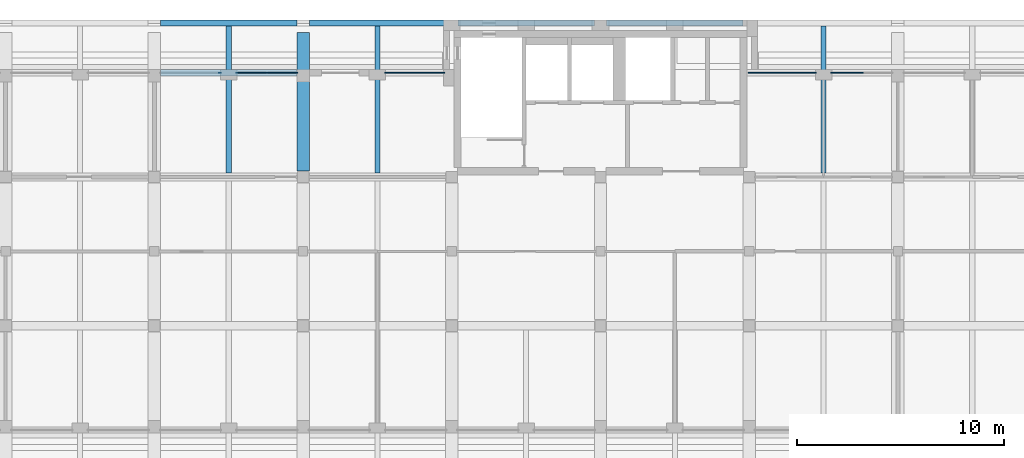
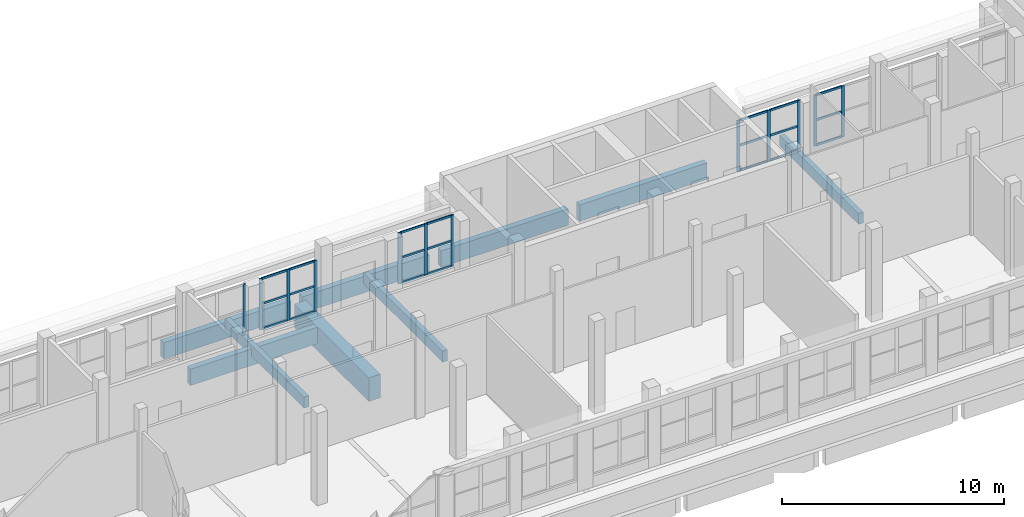
# One storey, part 7 of 30: 33 members, 9 beams, 5 elements without a shape of their own.
"""IFC4 building model written with IfcOpenShell, lengths in metres."""

from ifc_helpers import new_model, si_unit, direction, frame, origin, origin_2d, place, context, subcontext, project, spatial, rectangle, extrude, material, layer, layer_set, material_profile, profile_set, type_object, element, aggregate, save


model = new_model("IFC4")

# Units and contexts
model_context = context("Model", 3, precision=1e-05, world=origin(), true_north=direction((0.0, 1.0)))
body_context = subcontext(model_context, "Body", "Model", "MODEL_VIEW")
ifc_project = project(units=[si_unit("LENGTHUNIT", "METRE"), si_unit("AREAUNIT", "SQUARE_METRE"), si_unit("VOLUMEUNIT", "CUBIC_METRE"), si_unit("PLANEANGLEUNIT", "RADIAN"), si_unit("MASSUNIT", "GRAM", prefix="KILO")], contexts=[model_context])

# Site, building, storey
site_placement = place(None, origin())
site = spatial("IfcSite", under=ifc_project, at=site_placement, CompositionType="ELEMENT")
building_placement = place(site_placement, origin())
building = spatial("IfcBuilding", under=site, at=building_placement, Name="Ussher Court Research Institute", CompositionType="ELEMENT")
storey_placement = place(building_placement, frame((0.0, 0.0, 27.89990234375)))
storey = spatial("IfcBuildingStorey", under=building, at=storey_placement, Name="L06", CompositionType="ELEMENT", Elevation=27.89990234375)

# Curtain wall, member
ifc_material_1 = material(Name="Bronze anodised aluminium with insulated low-e glass", Category="aluminium")
ifc_layer = layer(ifc_material_1, 0.1201171875)
ifc_layer_set = layer_set([ifc_layer], Name="Bronze anodised aluminium with insulated low-e glass")
curtain_wall_type = type_object("IfcCurtainWallType", Name="Curtain wall attic gallery glazing", PredefinedType="NOTDEFINED", material=ifc_layer_set)
curtain_wall_1_placement = place(storey_placement, origin())
curtain_wall_1 = element("IfcCurtainWall", 1, at=curtain_wall_1_placement, inside=storey, type_object=curtain_wall_type, Name="Curtain wall CW11 L06", PredefinedType="NOTDEFINED")
ifc_material_2 = material(Name="Bronze anodised aluminium", Category="aluminium")
ifc_material_profile_1 = material_profile(ifc_material_2, rectangle(XDim=0.06005859375, YDim=0.159912109375, at=origin_2d()), Name="Mullion 60x160")
ifc_profile_set_1 = profile_set([ifc_material_profile_1], Name="Bronze anodised aluminium")
member_type_1 = type_object("IfcMemberType", Name="Mullion 60x160", PredefinedType="MULLION", material=ifc_profile_set_1)
member_1_placement = place(storey_placement, frame((34.969970703125, 88.25, 0.60009765625), z_axis=(0.0, 0.0, 1.0), x_axis=(0.0, 1.0, 0.0)))
member_1 = element("IfcMember", 2, at=member_1_placement, type_object=member_type_1, Name="CW11 mullion 3", PredefinedType="MULLION", context=body_context, shape_type="SweptSolid", body=[
    extrude(rectangle(XDim=0.06005859375, YDim=0.159912109375, at=origin_2d()), origin(), (0.0, 0.0, 1.0), 2.800048828125),
])
aggregate(curtain_wall_1, [member_1])

# Curtain wall, members
curtain_wall_2_placement = place(storey_placement, origin())
curtain_wall_2 = element("IfcCurtainWall", 3, at=curtain_wall_2_placement, inside=storey, type_object=curtain_wall_type, Name="Curtain wall CW11 L06", PredefinedType="NOTDEFINED")
member_2_placement = place(storey_placement, frame((35.830078125, 88.25, 0.60009765625), z_axis=(0.0, 0.0, 1.0), x_axis=(0.0, 1.0, 0.0)))
member_2 = element("IfcMember", 4, at=member_2_placement, type_object=member_type_1, Name="CW11 mullion 1", PredefinedType="MULLION", context=body_context, shape_type="SweptSolid", body=[
    extrude(rectangle(XDim=0.06005859375, YDim=0.159912109375, at=origin_2d()), origin(), (0.0, 0.0, 1.0), 2.800048828125),
])
member_3_placement = place(storey_placement, frame((37.25, 88.25, 0.60009765625), z_axis=(0.0, 0.0, 1.0), x_axis=(0.0, 1.0, 0.0)))
member_3 = element("IfcMember", 5, at=member_3_placement, type_object=member_type_1, Name="CW11 mullion 2", PredefinedType="MULLION", context=body_context, shape_type="SweptSolid", body=[
    extrude(rectangle(XDim=0.06005859375, YDim=0.159912109375, at=origin_2d()), origin(), (0.0, 0.0, 1.0), 2.800048828125),
])
member_4_placement = place(storey_placement, frame((38.669921875, 88.25, 0.60009765625), z_axis=(0.0, 0.0, 1.0), x_axis=(0.0, 1.0, 0.0)))
member_4 = element("IfcMember", 6, at=member_4_placement, type_object=member_type_1, Name="CW11 mullion 3", PredefinedType="MULLION", context=body_context, shape_type="SweptSolid", body=[
    extrude(rectangle(XDim=0.06005859375, YDim=0.159912109375, at=origin_2d()), origin(), (0.0, 0.0, 1.0), 2.800048828125),
])

curtain_wall_3_placement = place(storey_placement, origin())
curtain_wall_3 = element("IfcCurtainWall", 7, at=curtain_wall_3_placement, inside=storey, type_object=curtain_wall_type, Name="Curtain wall CW11 L06", PredefinedType="NOTDEFINED")
member_5_placement = place(storey_placement, frame((43.030029296875, 88.25, 0.60009765625), z_axis=(0.0, 0.0, 1.0), x_axis=(0.0, 1.0, 0.0)))
member_5 = element("IfcMember", 8, at=member_5_placement, type_object=member_type_1, Name="CW11 mullion 1", PredefinedType="MULLION", context=body_context, shape_type="SweptSolid", body=[
    extrude(rectangle(XDim=0.06005859375, YDim=0.159912109375, at=origin_2d()), origin(), (0.0, 0.0, 1.0), 2.800048828125),
])
member_6_placement = place(storey_placement, frame((44.39990234375, 88.25, 0.60009765625), z_axis=(0.0, 0.0, 1.0), x_axis=(0.0, 1.0, 0.0)))
member_6 = element("IfcMember", 9, at=member_6_placement, type_object=member_type_1, Name="CW11 mullion 2", PredefinedType="MULLION", context=body_context, shape_type="SweptSolid", body=[
    extrude(rectangle(XDim=0.06005859375, YDim=0.159912109375, at=origin_2d()), origin(), (0.0, 0.0, 1.0), 2.800048828125),
])
member_7_placement = place(storey_placement, frame((45.77001953125, 88.25, 0.60009765625), z_axis=(0.0, 0.0, 1.0), x_axis=(0.0, 1.0, 0.0)))
member_7 = element("IfcMember", 10, at=member_7_placement, type_object=member_type_1, Name="CW11 mullion 3", PredefinedType="MULLION", context=body_context, shape_type="SweptSolid", body=[
    extrude(rectangle(XDim=0.06005859375, YDim=0.159912109375, at=origin_2d()), origin(), (0.0, 0.0, 1.0), 2.800048828125),
])

curtain_wall_4_placement = place(storey_placement, origin())
curtain_wall_4 = element("IfcCurtainWall", 11, at=curtain_wall_4_placement, inside=storey, type_object=curtain_wall_type, Name="Curtain wall CW11 L06", PredefinedType="NOTDEFINED")
member_8_placement = place(storey_placement, frame((60.6298828125, 88.25, 0.60009765625), z_axis=(0.0, 0.0, 1.0), x_axis=(0.0, 1.0, 0.0)))
member_8 = element("IfcMember", 12, at=member_8_placement, type_object=member_type_1, Name="CW11 mullion 1", PredefinedType="MULLION", context=body_context, shape_type="SweptSolid", body=[
    extrude(rectangle(XDim=0.06005859375, YDim=0.159912109375, at=origin_2d()), origin(), (0.0, 0.0, 1.0), 2.800048828125),
])
member_9_placement = place(storey_placement, frame((62.199951171875, 88.25, 0.60009765625), z_axis=(0.0, 0.0, 1.0), x_axis=(0.0, 1.0, 0.0)))
member_9 = element("IfcMember", 13, at=member_9_placement, type_object=member_type_1, Name="CW11 mullion 2", PredefinedType="MULLION", context=body_context, shape_type="SweptSolid", body=[
    extrude(rectangle(XDim=0.06005859375, YDim=0.159912109375, at=origin_2d()), origin(), (0.0, 0.0, 1.0), 2.800048828125),
])
member_10_placement = place(storey_placement, frame((63.77001953125, 88.25, 0.60009765625), z_axis=(0.0, 0.0, 1.0), x_axis=(0.0, 1.0, 0.0)))
member_10 = element("IfcMember", 14, at=member_10_placement, type_object=member_type_1, Name="CW11 mullion 3", PredefinedType="MULLION", context=body_context, shape_type="SweptSolid", body=[
    extrude(rectangle(XDim=0.06005859375, YDim=0.159912109375, at=origin_2d()), origin(), (0.0, 0.0, 1.0), 2.800048828125),
])

curtain_wall_5_placement = place(storey_placement, origin())
curtain_wall_5 = element("IfcCurtainWall", 15, at=curtain_wall_5_placement, inside=storey, type_object=curtain_wall_type, Name="Curtain wall CW11 L06", PredefinedType="NOTDEFINED")
member_11_placement = place(storey_placement, frame((64.6298828125, 88.25, 0.60009765625), z_axis=(0.0, 0.0, 1.0), x_axis=(0.0, 1.0, 0.0)))
member_11 = element("IfcMember", 16, at=member_11_placement, type_object=member_type_1, Name="CW11 mullion 1", PredefinedType="MULLION", context=body_context, shape_type="SweptSolid", body=[
    extrude(rectangle(XDim=0.06005859375, YDim=0.159912109375, at=origin_2d()), origin(), (0.0, 0.0, 1.0), 2.800048828125),
])
member_12_placement = place(storey_placement, frame((66.050048828125, 88.25, 0.60009765625), z_axis=(0.0, 0.0, 1.0), x_axis=(0.0, 1.0, 0.0)))
member_12 = element("IfcMember", 17, at=member_12_placement, type_object=member_type_1, Name="CW11 mullion 2", PredefinedType="MULLION", context=body_context, shape_type="SweptSolid", body=[
    extrude(rectangle(XDim=0.06005859375, YDim=0.159912109375, at=origin_2d()), origin(), (0.0, 0.0, 1.0), 2.800048828125),
])

# Beams
ifc_material_3 = material(Name="Concrete C35/45", Category="concrete")
ifc_material_profile_2 = material_profile(ifc_material_3, rectangle(XDim=0.25, YDim=0.60009765625, at=origin_2d()), Name="RC 250x600")
ifc_profile_set_2 = profile_set([ifc_material_profile_2], Name="Concrete C35/45")
beam_type_1 = type_object("IfcBeamType", Name="RC 250x600 beam", PredefinedType="BEAM", material=ifc_profile_set_2)
for number, where, z_axis, x_axis, name in (
    (18, (35.39990234375, 83.39990234375, -0.2998046875), (0.0, 1.0, 0.0), (-1.0, 0.0, 0.0), "B14 V5 L06-13"),
    (19, (42.60009765625, 83.39990234375, -0.2998046875), (0.0, 1.0, 0.0), (-1.0, 0.0, 0.0), "B14 V5 L06-16"),
    (20, (64.199951171875, 83.39990234375, -0.2998046875), (0.0, 1.0, 0.0), (-1.0, 0.0, 0.0), "B14 V5 L06-21"),
):
    element("IfcBeam", number, at=place(storey_placement, frame(where, z_axis=z_axis, x_axis=x_axis)), inside=storey, type_object=beam_type_1, Name=name, PredefinedType="BEAM", context=body_context, shape_type="SweptSolid", body=[
        extrude(rectangle(XDim=0.25, YDim=0.60009765625, at=origin_2d()), origin(), (0.0, 0.0, 1.0), 7.10009765625),
    ])
ifc_material_4 = material(Name="Concrete C35/45", Category="concrete")
ifc_material_profile_3 = material_profile(ifc_material_4, rectangle(XDim=0.300048828125, YDim=0.89990234375, at=origin_2d()), Name="RC 300x900")
ifc_profile_set_3 = profile_set([ifc_material_profile_3], Name="Concrete C35/45")
beam_type_2 = type_object("IfcBeamType", Name="RC 300x900 beam", PredefinedType="BEAM", material=ifc_profile_set_3)
for number, where, z_axis, x_axis, name in (
    (21, (32.10009765625, 90.64990234375, -0.64990234375), (1.0, 0.0, 0.0), (0.0, 1.0, 0.0), "SB2 V5 L06-16"),
    (22, (39.300048828125, 90.64990234375, -0.64990234375), (1.0, 0.0, 0.0), (0.0, 1.0, 0.0), "SB2 V5 L06-17"),
):
    element("IfcBeam", number, at=place(storey_placement, frame(where, z_axis=z_axis, x_axis=x_axis)), inside=storey, type_object=beam_type_2, Name=name, PredefinedType="BEAM", context=body_context, shape_type="SweptSolid", body=[
        extrude(rectangle(XDim=0.300048828125, YDim=0.89990234375, at=origin_2d()), origin(), (0.0, 0.0, 1.0), 6.599853515625),
    ])
for number, where, z_axis, x_axis, name in (
    (23, (46.5, 90.64990234375, -0.64990234375), (1.0, 0.0, 0.0), (0.0, 1.0, 0.0), "SB2 V5 L06-18"),
    (24, (53.699951171875, 90.64990234375, -0.64990234375), (1.0, 0.0, 0.0), (0.0, 1.0, 0.0), "SB2 V5 L06-19"),
):
    element("IfcBeam", number, at=place(storey_placement, frame(where, z_axis=z_axis, x_axis=x_axis)), inside=storey, type_object=beam_type_2, Name=name, PredefinedType="BEAM", context=body_context, shape_type="SweptSolid", body=[
        extrude(rectangle(XDim=0.300048828125, YDim=0.89990234375, at=origin_2d()), origin(), (0.0, 0.0, 1.0), 6.60009765625),
    ])
beam_1_placement = place(storey_placement, frame((32.10009765625, 88.25, -0.64990234375), z_axis=(1.0, 0.0, 0.0), x_axis=(0.0, 1.0, 0.0)))
element("IfcBeam", 25, at=beam_1_placement, inside=storey, type_object=beam_type_2, Name="SB2 V5 L06-36", PredefinedType="BEAM", context=body_context, shape_type="SweptSolid", body=[
    extrude(rectangle(XDim=0.300048828125, YDim=0.89990234375, at=origin_2d()), origin(), (0.0, 0.0, 1.0), 6.599853515625),
])
ifc_material_5 = material(Name="Concrete C35/45", Category="concrete")
ifc_material_profile_4 = material_profile(ifc_material_5, rectangle(XDim=0.60009765625, YDim=1.300048828125, at=origin_2d()), Name="RC 600x1300")
ifc_profile_set_4 = profile_set([ifc_material_profile_4], Name="Concrete C35/45")
beam_type_3 = type_object("IfcBeamType", Name="RC 600x1300 beam", PredefinedType="BEAM", material=ifc_profile_set_4)
beam_2_placement = place(storey_placement, frame((39.0, 83.5, -0.849853515625), z_axis=(0.0, 1.0, 0.0), x_axis=(-1.0, 0.0, 0.0)))
element("IfcBeam", 26, at=beam_2_placement, inside=storey, type_object=beam_type_3, Name="TB1 V5 L06-16", PredefinedType="BEAM", context=body_context, shape_type="SweptSolid", body=[
    extrude(rectangle(XDim=0.60009765625, YDim=1.300048828125, at=origin_2d()), origin(), (0.0, 0.0, 1.0), 6.699951171875),
])

# Member
ifc_material_6 = material(Name="Bronze anodised aluminium", Category="aluminium")
ifc_material_profile_5 = material_profile(ifc_material_6, rectangle(XDim=0.06005859375, YDim=0.1201171875, at=origin_2d()), Name="Transom 60x120")
ifc_profile_set_5 = profile_set([ifc_material_profile_5], Name="Bronze anodised aluminium")
member_type_2 = type_object("IfcMemberType", Name="Transom 60x120", PredefinedType="USERDEFINED", material=ifc_profile_set_5)
member_13_placement = place(storey_placement, frame((35.860107421875, 88.25, 0.630126953125), z_axis=(1.0, 0.0, 0.0), x_axis=(0.0, 1.0, 0.0)))
member_13 = element("IfcMember", 27, at=member_13_placement, type_object=member_type_2, Name="CW11 transom 1.1", ObjectType="TRANSOM", PredefinedType="USERDEFINED", context=body_context, shape_type="SweptSolid", body=[
    extrude(rectangle(XDim=0.06005859375, YDim=0.1201171875, at=origin_2d()), origin(), (0.0, 0.0, 1.0), 1.35986328125),
])

member_14_placement = place(storey_placement, frame((35.860107421875, 88.25, 2.0), z_axis=(1.0, 0.0, 0.0), x_axis=(0.0, 1.0, 0.0)))
member_14 = element("IfcMember", 28, at=member_14_placement, type_object=member_type_2, Name="CW11 transom 1.2", ObjectType="TRANSOM", PredefinedType="USERDEFINED", context=body_context, shape_type="SweptSolid", body=[
    extrude(rectangle(XDim=0.06005859375, YDim=0.1201171875, at=origin_2d()), origin(), (0.0, 0.0, 1.0), 1.35986328125),
])

member_15_placement = place(storey_placement, frame((35.860107421875, 88.25, 3.3701171875), z_axis=(1.0, 0.0, 0.0), x_axis=(0.0, 1.0, 0.0)))
member_15 = element("IfcMember", 29, at=member_15_placement, type_object=member_type_2, Name="CW11 transom 1.3", ObjectType="TRANSOM", PredefinedType="USERDEFINED", context=body_context, shape_type="SweptSolid", body=[
    extrude(rectangle(XDim=0.06005859375, YDim=0.1201171875, at=origin_2d()), origin(), (0.0, 0.0, 1.0), 1.35986328125),
])

member_16_placement = place(storey_placement, frame((37.280029296875, 88.25, 0.630126953125), z_axis=(1.0, 0.0, 0.0), x_axis=(0.0, 1.0, 0.0)))
member_16 = element("IfcMember", 30, at=member_16_placement, type_object=member_type_2, Name="CW11 transom 2.1", ObjectType="TRANSOM", PredefinedType="USERDEFINED", context=body_context, shape_type="SweptSolid", body=[
    extrude(rectangle(XDim=0.06005859375, YDim=0.1201171875, at=origin_2d()), origin(), (0.0, 0.0, 1.0), 1.35986328125),
])

member_17_placement = place(storey_placement, frame((37.280029296875, 88.25, 2.0), z_axis=(1.0, 0.0, 0.0), x_axis=(0.0, 1.0, 0.0)))
member_17 = element("IfcMember", 31, at=member_17_placement, type_object=member_type_2, Name="CW11 transom 2.2", ObjectType="TRANSOM", PredefinedType="USERDEFINED", context=body_context, shape_type="SweptSolid", body=[
    extrude(rectangle(XDim=0.06005859375, YDim=0.1201171875, at=origin_2d()), origin(), (0.0, 0.0, 1.0), 1.35986328125),
])

member_18_placement = place(storey_placement, frame((37.280029296875, 88.25, 3.3701171875), z_axis=(1.0, 0.0, 0.0), x_axis=(0.0, 1.0, 0.0)))
member_18 = element("IfcMember", 32, at=member_18_placement, type_object=member_type_2, Name="CW11 transom 2.3", ObjectType="TRANSOM", PredefinedType="USERDEFINED", context=body_context, shape_type="SweptSolid", body=[
    extrude(rectangle(XDim=0.06005859375, YDim=0.1201171875, at=origin_2d()), origin(), (0.0, 0.0, 1.0), 1.35986328125),
])

aggregate(curtain_wall_2, [member_2, member_3, member_4, member_13, member_14, member_15, member_16, member_17, member_18])

member_19_placement = place(storey_placement, frame((43.06005859375, 88.25, 0.630126953125), z_axis=(1.0, 0.0, 0.0), x_axis=(0.0, 1.0, 0.0)))
member_19 = element("IfcMember", 33, at=member_19_placement, type_object=member_type_2, Name="CW11 transom 1.1", ObjectType="TRANSOM", PredefinedType="USERDEFINED", context=body_context, shape_type="SweptSolid", body=[
    extrude(rectangle(XDim=0.06005859375, YDim=0.1201171875, at=origin_2d()), origin(), (0.0, 0.0, 1.0), 1.31005859375),
])

member_20_placement = place(storey_placement, frame((43.06005859375, 88.25, 2.0), z_axis=(1.0, 0.0, 0.0), x_axis=(0.0, 1.0, 0.0)))
member_20 = element("IfcMember", 34, at=member_20_placement, type_object=member_type_2, Name="CW11 transom 1.2", ObjectType="TRANSOM", PredefinedType="USERDEFINED", context=body_context, shape_type="SweptSolid", body=[
    extrude(rectangle(XDim=0.06005859375, YDim=0.1201171875, at=origin_2d()), origin(), (0.0, 0.0, 1.0), 1.31005859375),
])

member_21_placement = place(storey_placement, frame((43.06005859375, 88.25, 3.3701171875), z_axis=(1.0, 0.0, 0.0), x_axis=(0.0, 1.0, 0.0)))
member_21 = element("IfcMember", 35, at=member_21_placement, type_object=member_type_2, Name="CW11 transom 1.3", ObjectType="TRANSOM", PredefinedType="USERDEFINED", context=body_context, shape_type="SweptSolid", body=[
    extrude(rectangle(XDim=0.06005859375, YDim=0.1201171875, at=origin_2d()), origin(), (0.0, 0.0, 1.0), 1.31005859375),
])

member_22_placement = place(storey_placement, frame((44.429931640625, 88.25, 0.630126953125), z_axis=(1.0, 0.0, 0.0), x_axis=(0.0, 1.0, 0.0)))
member_22 = element("IfcMember", 36, at=member_22_placement, type_object=member_type_2, Name="CW11 transom 2.1", ObjectType="TRANSOM", PredefinedType="USERDEFINED", context=body_context, shape_type="SweptSolid", body=[
    extrude(rectangle(XDim=0.06005859375, YDim=0.1201171875, at=origin_2d()), origin(), (0.0, 0.0, 1.0), 1.31005859375),
])

member_23_placement = place(storey_placement, frame((44.429931640625, 88.25, 2.0), z_axis=(1.0, 0.0, 0.0), x_axis=(0.0, 1.0, 0.0)))
member_23 = element("IfcMember", 37, at=member_23_placement, type_object=member_type_2, Name="CW11 transom 2.2", ObjectType="TRANSOM", PredefinedType="USERDEFINED", context=body_context, shape_type="SweptSolid", body=[
    extrude(rectangle(XDim=0.06005859375, YDim=0.1201171875, at=origin_2d()), origin(), (0.0, 0.0, 1.0), 1.31005859375),
])

member_24_placement = place(storey_placement, frame((44.429931640625, 88.25, 3.3701171875), z_axis=(1.0, 0.0, 0.0), x_axis=(0.0, 1.0, 0.0)))
member_24 = element("IfcMember", 38, at=member_24_placement, type_object=member_type_2, Name="CW11 transom 2.3", ObjectType="TRANSOM", PredefinedType="USERDEFINED", context=body_context, shape_type="SweptSolid", body=[
    extrude(rectangle(XDim=0.06005859375, YDim=0.1201171875, at=origin_2d()), origin(), (0.0, 0.0, 1.0), 1.31005859375),
])

aggregate(curtain_wall_3, [member_5, member_6, member_7, member_19, member_20, member_21, member_22, member_23, member_24])

member_25_placement = place(storey_placement, frame((60.659912109375, 88.25, 0.630126953125), z_axis=(1.0, 0.0, 0.0), x_axis=(0.0, 1.0, 0.0)))
member_25 = element("IfcMember", 39, at=member_25_placement, type_object=member_type_2, Name="CW11 transom 1.1", ObjectType="TRANSOM", PredefinedType="USERDEFINED", context=body_context, shape_type="SweptSolid", body=[
    extrude(rectangle(XDim=0.06005859375, YDim=0.1201171875, at=origin_2d()), origin(), (0.0, 0.0, 1.0), 1.510009765625),
])

member_26_placement = place(storey_placement, frame((60.659912109375, 88.25, 2.0), z_axis=(1.0, 0.0, 0.0), x_axis=(0.0, 1.0, 0.0)))
member_26 = element("IfcMember", 40, at=member_26_placement, type_object=member_type_2, Name="CW11 transom 1.2", ObjectType="TRANSOM", PredefinedType="USERDEFINED", context=body_context, shape_type="SweptSolid", body=[
    extrude(rectangle(XDim=0.06005859375, YDim=0.1201171875, at=origin_2d()), origin(), (0.0, 0.0, 1.0), 1.510009765625),
])

member_27_placement = place(storey_placement, frame((60.659912109375, 88.25, 3.3701171875), z_axis=(1.0, 0.0, 0.0), x_axis=(0.0, 1.0, 0.0)))
member_27 = element("IfcMember", 41, at=member_27_placement, type_object=member_type_2, Name="CW11 transom 1.3", ObjectType="TRANSOM", PredefinedType="USERDEFINED", context=body_context, shape_type="SweptSolid", body=[
    extrude(rectangle(XDim=0.06005859375, YDim=0.1201171875, at=origin_2d()), origin(), (0.0, 0.0, 1.0), 1.510009765625),
])

member_28_placement = place(storey_placement, frame((62.22998046875, 88.25, 0.630126953125), z_axis=(1.0, 0.0, 0.0), x_axis=(0.0, 1.0, 0.0)))
member_28 = element("IfcMember", 42, at=member_28_placement, type_object=member_type_2, Name="CW11 transom 2.1", ObjectType="TRANSOM", PredefinedType="USERDEFINED", context=body_context, shape_type="SweptSolid", body=[
    extrude(rectangle(XDim=0.06005859375, YDim=0.1201171875, at=origin_2d()), origin(), (0.0, 0.0, 1.0), 1.510009765625),
])

member_29_placement = place(storey_placement, frame((62.22998046875, 88.25, 2.0), z_axis=(1.0, 0.0, 0.0), x_axis=(0.0, 1.0, 0.0)))
member_29 = element("IfcMember", 43, at=member_29_placement, type_object=member_type_2, Name="CW11 transom 2.2", ObjectType="TRANSOM", PredefinedType="USERDEFINED", context=body_context, shape_type="SweptSolid", body=[
    extrude(rectangle(XDim=0.06005859375, YDim=0.1201171875, at=origin_2d()), origin(), (0.0, 0.0, 1.0), 1.510009765625),
])

member_30_placement = place(storey_placement, frame((62.22998046875, 88.25, 3.3701171875), z_axis=(1.0, 0.0, 0.0), x_axis=(0.0, 1.0, 0.0)))
member_30 = element("IfcMember", 44, at=member_30_placement, type_object=member_type_2, Name="CW11 transom 2.3", ObjectType="TRANSOM", PredefinedType="USERDEFINED", context=body_context, shape_type="SweptSolid", body=[
    extrude(rectangle(XDim=0.06005859375, YDim=0.1201171875, at=origin_2d()), origin(), (0.0, 0.0, 1.0), 1.510009765625),
])

aggregate(curtain_wall_4, [member_8, member_9, member_10, member_25, member_26, member_27, member_28, member_29, member_30])

member_31_placement = place(storey_placement, frame((64.659912109375, 88.25, 0.630126953125), z_axis=(1.0, 0.0, 0.0), x_axis=(0.0, 1.0, 0.0)))
member_31 = element("IfcMember", 45, at=member_31_placement, type_object=member_type_2, Name="CW11 transom 1.1", ObjectType="TRANSOM", PredefinedType="USERDEFINED", context=body_context, shape_type="SweptSolid", body=[
    extrude(rectangle(XDim=0.06005859375, YDim=0.1201171875, at=origin_2d()), origin(), (0.0, 0.0, 1.0), 1.360107421875),
])

member_32_placement = place(storey_placement, frame((64.659912109375, 88.25, 2.0), z_axis=(1.0, 0.0, 0.0), x_axis=(0.0, 1.0, 0.0)))
member_32 = element("IfcMember", 46, at=member_32_placement, type_object=member_type_2, Name="CW11 transom 1.2", ObjectType="TRANSOM", PredefinedType="USERDEFINED", context=body_context, shape_type="SweptSolid", body=[
    extrude(rectangle(XDim=0.06005859375, YDim=0.1201171875, at=origin_2d()), origin(), (0.0, 0.0, 1.0), 1.360107421875),
])

member_33_placement = place(storey_placement, frame((64.659912109375, 88.25, 3.3701171875), z_axis=(1.0, 0.0, 0.0), x_axis=(0.0, 1.0, 0.0)))
member_33 = element("IfcMember", 47, at=member_33_placement, type_object=member_type_2, Name="CW11 transom 1.3", ObjectType="TRANSOM", PredefinedType="USERDEFINED", context=body_context, shape_type="SweptSolid", body=[
    extrude(rectangle(XDim=0.06005859375, YDim=0.1201171875, at=origin_2d()), origin(), (0.0, 0.0, 1.0), 1.360107421875),
])

aggregate(curtain_wall_5, [member_11, member_12, member_31, member_32, member_33])

save(model, "model.ifc")
